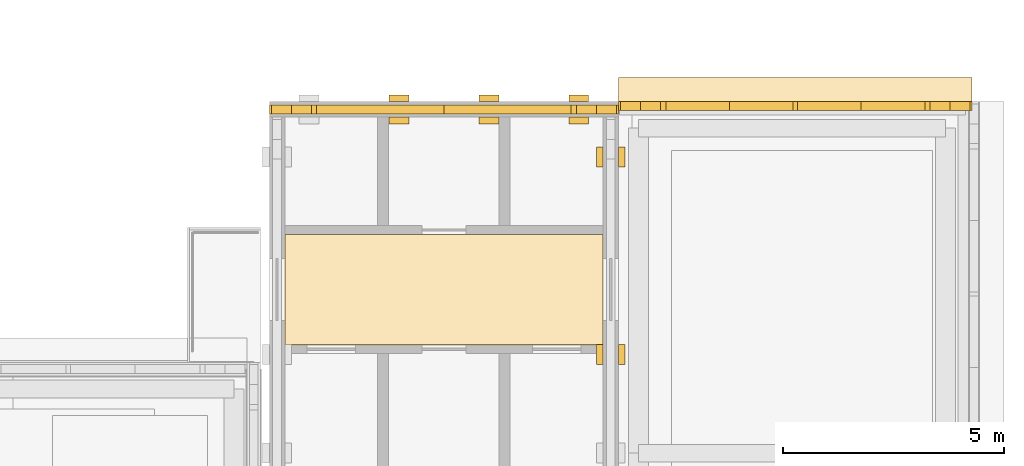
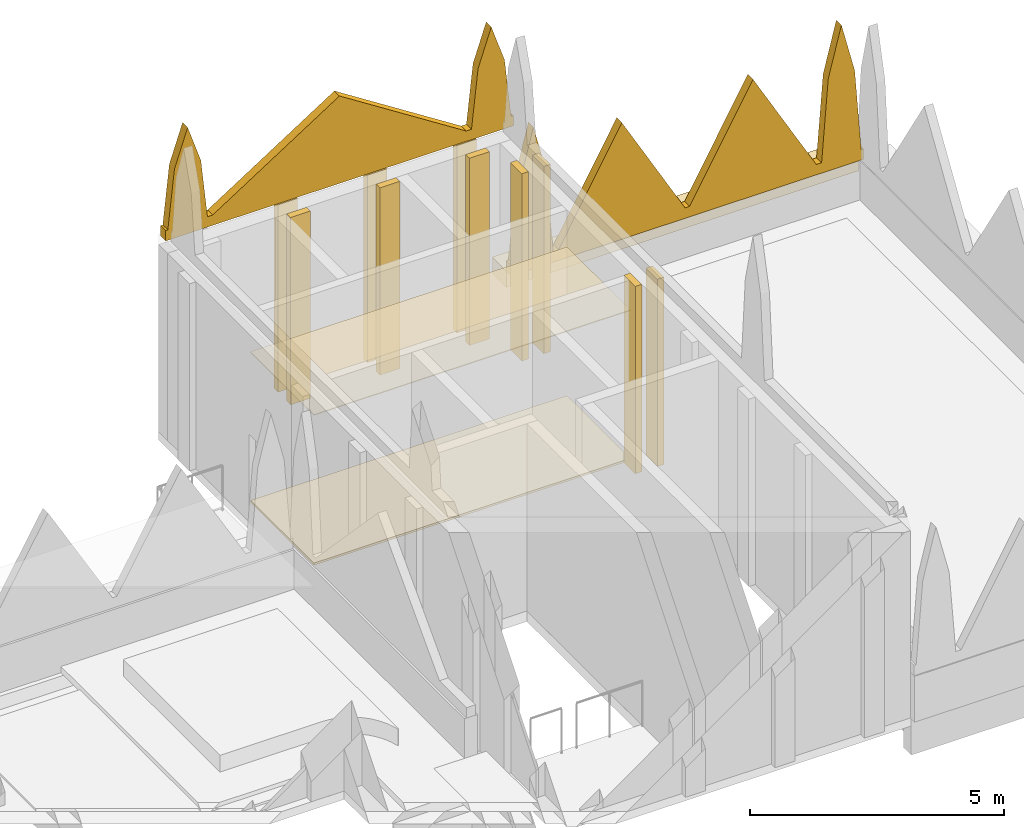
# One storey, part 18 of 18: 15 coverings.
"""IFC4 building model written with IfcOpenShell, lengths in metres."""

from ifc_helpers import new_model, si_unit, direction, frame, frame_2d, origin, place, context, subcontext, project, spatial, polyline, rectangle, outline, extrude, material, layer, layer_set, type_object, element, save


model = new_model("IFC4")

# Units and contexts
model_context = context("Model", 3, precision=1e-05, world=origin(), true_north=direction((0.0, 1.0)))
body_context = subcontext(model_context, "Body", "Model", "MODEL_VIEW")
ifc_project = project(units=[si_unit("LENGTHUNIT", "METRE"), si_unit("AREAUNIT", "SQUARE_METRE"), si_unit("VOLUMEUNIT", "CUBIC_METRE"), si_unit("PLANEANGLEUNIT", "RADIAN"), si_unit("MASSUNIT", "GRAM", prefix="KILO")], contexts=[model_context])

# Site, building, storey
site_placement = place(None, origin())
site = spatial("IfcSite", under=ifc_project, at=site_placement, CompositionType="ELEMENT")
building_placement = place(site_placement, origin())
building = spatial("IfcBuilding", under=site, at=building_placement, Name="Lantern Court Media Centre", CompositionType="ELEMENT")
storey_placement = place(building_placement, frame((0.0, 0.0, 33.60009765625)))
storey = spatial("IfcBuildingStorey", under=building, at=storey_placement, Name="R00", CompositionType="ELEMENT", Elevation=33.60009765625)

# Coverings
ifc_material_1 = material(Name="Honed limestone cladding on blockwork", Category="masonry")
ifc_layer_1 = layer(ifc_material_1, 0.550048828125)
ifc_layer_set_1 = layer_set([ifc_layer_1], Name="Honed limestone cladding on blockwork")
covering_type_1 = type_object("IfcCoveringType", Name="Limestone cornice 550", PredefinedType="CLADDING", material=ifc_layer_set_1)
covering_1_placement = place(storey_placement, frame((88.0, 64.175048828125, 0.699951171875), z_axis=(0.0, 0.0, 1.0), x_axis=(1.0, 0.0, 0.0)))
element("IfcCovering", 1, at=covering_1_placement, inside=storey, type_object=covering_type_1, Name="Attic cornice", PredefinedType="CLADDING", context=body_context, shape_type="SweptSolid", body=[
    extrude(rectangle(XDim=8.0, YDim=0.550048828125, at=frame_2d((4.0, 0.0))), origin(), (0.0, 0.0, 1.0), 0.39990234375),
])
ifc_layer_2 = layer(ifc_material_1, 0.199951171875)
ifc_layer_set_2 = layer_set([ifc_layer_2], Name="Honed limestone cladding on blockwork")
covering_type_2 = type_object("IfcCoveringType", Name="Limestone cresting 200", PredefinedType="CLADDING", material=ifc_layer_set_2)
covering_2_placement = place(storey_placement, frame((88.0, 63.800048828125, 1.099853515625), z_axis=(0.0, 0.0, 1.0), x_axis=(1.0, 0.0, 0.0)))
element("IfcCovering", 2, at=covering_2_placement, inside=storey, type_object=covering_type_2, Name="Parapet cresting", PredefinedType="CLADDING", context=body_context, shape_type="SweptSolid", body=[
    extrude(outline(polyline([(0.0, 0.0), (8.0, 0.0), (8.0, 0.25), (7.949951171875, 0.25), (7.800048828125, 2.2099609375), (7.5, 3.400146484375), (7.199951171875, 2.2099609375), (7.050048828125, 0.25), (6.929931640625, 0.25), (5.489990234375, 2.800048828125), (4.050048828125, 0.25), (3.949951171875, 0.25), (2.510009765625, 2.800048828125), (1.070068359375, 0.25), (0.949951171875, 0.25), (0.800048828125, 2.2099609375), (0.5, 3.400146484375), (0.199951171875, 2.2099609375), (0.050048828125, 0.25), (0.0, 0.25), (0.0, 0.0)])), frame((0.0, 0.10009765625, 0.0), z_axis=(0.0, -1.0, 0.0), x_axis=(1.0, 0.0, 0.0)), (0.0, 0.0, 1.0), 0.199951171875),
])
covering_3_placement = place(storey_placement, frame((88.0, 63.72509765625, 4.75), z_axis=(0.0, 0.0, 1.0), x_axis=(-1.0, 0.0, 0.0)))
element("IfcCovering", 3, at=covering_3_placement, inside=storey, type_object=covering_type_2, Name="Roof box cresting", PredefinedType="CLADDING", context=body_context, shape_type="SweptSolid", body=[
    extrude(outline(polyline([(0.0, 0.0), (7.89990234375, 0.0), (7.89990234375, 0.25), (7.85009765625, 0.25), (7.699951171875, 1.657470703125), (7.39990234375, 2.5498046875), (7.10009765625, 1.657470703125), (6.949951171875, 0.25), (6.830078125, 0.25), (3.949951171875, 2.099853515625), (1.070068359375, 0.25), (0.949951171875, 0.25), (0.800048828125, 1.657470703125), (0.5, 2.5498046875), (0.199951171875, 1.657470703125), (0.050048828125, 0.25), (0.0, 0.25), (0.0, 0.0)])), frame((0.0, 0.10009765625, 0.0), z_axis=(0.0, -1.0, 0.0), x_axis=(1.0, 0.0, 0.0)), (0.0, 0.0, 1.0), 0.199951171875),
])
ifc_material_2 = material(Name="Honed limestone cladding", Category="masonry")
ifc_layer_3 = layer(ifc_material_2, 0.14990234375)
ifc_layer_set_3 = layer_set([ifc_layer_3], Name="Honed limestone cladding")
covering_type_3 = type_object("IfcCoveringType", Name="Limestone pilaster cladding 150", PredefinedType="CLADDING", material=ifc_layer_set_3)
covering_4_placement = place(storey_placement, frame((87.574951171875, 57.958251953125, 0.0), z_axis=(0.0, 0.0, 1.0), x_axis=(0.0, 1.0, 0.0)))
element("IfcCovering", 4, at=covering_4_placement, inside=storey, type_object=covering_type_3, Name="Limestone pilaster rib", PredefinedType="CLADDING", context=body_context, shape_type="SweptSolid", body=[
    extrude(rectangle(XDim=0.4501953125, YDim=0.14990234375, at=frame_2d((0.22509765625, 0.0))), origin(), (0.0, 0.0, 1.0), 4.5),
])
covering_5_placement = place(storey_placement, frame((87.574951171875, 62.425048828125, 0.0), z_axis=(0.0, 0.0, 1.0), x_axis=(0.0, 1.0, 0.0)))
element("IfcCovering", 5, at=covering_5_placement, inside=storey, type_object=covering_type_3, Name="Limestone pilaster rib", PredefinedType="CLADDING", context=body_context, shape_type="SweptSolid", body=[
    extrude(rectangle(XDim=0.449951171875, YDim=0.14990234375, at=frame_2d((0.22509765625, 0.0))), origin(), (0.0, 0.0, 1.0), 4.5),
])
covering_6_placement = place(storey_placement, frame((88.074951171875, 57.958251953125, 0.0), z_axis=(0.0, 0.0, 1.0), x_axis=(0.0, 1.0, 0.0)))
element("IfcCovering", 6, at=covering_6_placement, inside=storey, type_object=covering_type_3, Name="Limestone pilaster rib", PredefinedType="CLADDING", context=body_context, shape_type="SweptSolid", body=[
    extrude(rectangle(XDim=0.4501953125, YDim=0.14990234375, at=frame_2d((0.22509765625, 0.0))), origin(), (0.0, 0.0, 1.0), 4.5),
])
for number, where, z_axis, x_axis, name in (
    (7, (88.074951171875, 62.425048828125, 0.0), (0.0, 0.0, 1.0), (0.0, 1.0, 0.0), "Limestone pilaster rib"),
    (8, (87.324951171875, 63.47509765625, 0.0), (0.0, 0.0, 1.0), (-1.0, 0.0, 0.0), "Limestone pilaster rib"),
):
    element("IfcCovering", number, at=place(storey_placement, frame(where, z_axis=z_axis, x_axis=x_axis)), inside=storey, type_object=covering_type_3, Name=name, PredefinedType="CLADDING", context=body_context, shape_type="SweptSolid", body=[
        extrude(rectangle(XDim=0.449951171875, YDim=0.14990234375, at=frame_2d((0.22509765625, 0.0))), origin(), (0.0, 0.0, 1.0), 4.5),
    ])
covering_7_placement = place(storey_placement, frame((85.291748046875, 63.47509765625, 0.0), z_axis=(0.0, 0.0, 1.0), x_axis=(-1.0, 0.0, 0.0)))
element("IfcCovering", 9, at=covering_7_placement, inside=storey, type_object=covering_type_3, Name="Limestone pilaster rib", PredefinedType="CLADDING", context=body_context, shape_type="SweptSolid", body=[
    extrude(rectangle(XDim=0.4501953125, YDim=0.14990234375, at=frame_2d((0.22509765625, 0.0))), origin(), (0.0, 0.0, 1.0), 4.5),
])
for number, where, z_axis, x_axis, name in (
    (10, (83.25830078125, 63.47509765625, 0.0), (0.0, 0.0, 1.0), (-1.0, 0.0, 0.0), "Limestone pilaster rib"),
    (11, (87.324951171875, 63.97509765625, 0.0), (0.0, 0.0, 1.0), (-1.0, 0.0, 0.0), "Limestone pilaster rib"),
):
    element("IfcCovering", number, at=place(storey_placement, frame(where, z_axis=z_axis, x_axis=x_axis)), inside=storey, type_object=covering_type_3, Name=name, PredefinedType="CLADDING", context=body_context, shape_type="SweptSolid", body=[
        extrude(rectangle(XDim=0.449951171875, YDim=0.14990234375, at=frame_2d((0.22509765625, 0.0))), origin(), (0.0, 0.0, 1.0), 4.5),
    ])
covering_8_placement = place(storey_placement, frame((85.291748046875, 63.97509765625, 0.0), z_axis=(0.0, 0.0, 1.0), x_axis=(-1.0, 0.0, 0.0)))
element("IfcCovering", 12, at=covering_8_placement, inside=storey, type_object=covering_type_3, Name="Limestone pilaster rib", PredefinedType="CLADDING", context=body_context, shape_type="SweptSolid", body=[
    extrude(rectangle(XDim=0.4501953125, YDim=0.14990234375, at=frame_2d((0.22509765625, 0.0))), origin(), (0.0, 0.0, 1.0), 4.5),
])
covering_9_placement = place(storey_placement, frame((83.25830078125, 63.97509765625, 0.0), z_axis=(0.0, 0.0, 1.0), x_axis=(-1.0, 0.0, 0.0)))
element("IfcCovering", 13, at=covering_9_placement, inside=storey, type_object=covering_type_3, Name="Limestone pilaster rib", PredefinedType="CLADDING", context=body_context, shape_type="SweptSolid", body=[
    extrude(rectangle(XDim=0.449951171875, YDim=0.14990234375, at=frame_2d((0.22509765625, 0.0))), origin(), (0.0, 0.0, 1.0), 4.5),
])
ifc_material_3 = material(Name="Mineral fibre ceiling tile")
ifc_layer_4 = layer(ifc_material_3, 0.02001953125)
ifc_layer_set_4 = layer_set([ifc_layer_4], Name="Mineral fibre ceiling tile")
covering_type_4 = type_object("IfcCoveringType", Name="Suspended ceiling tile", PredefinedType="CEILING", material=ifc_layer_set_4)
covering_10_placement = place(storey_placement, frame((0.0, 0.0, 3.599853515625)))
element("IfcCovering", 14, at=covering_10_placement, inside=storey, type_object=covering_type_4, Name="Lift Lobby ceiling", PredefinedType="CEILING", context=body_context, shape_type="SweptSolid", body=[
    extrude(outline(polyline([(87.6494140625, 58.400390625), (80.450439453125, 58.400390625), (80.450439453125, 60.8994140625), (87.6494140625, 60.8994140625), (87.6494140625, 58.400390625)])), origin(), (0.0, 0.0, 1.0), 0.02001953125),
])
ifc_material_4 = material(Name="Terrazzo")
ifc_layer_5 = layer(ifc_material_4, 0.050048828125)
ifc_layer_set_5 = layer_set([ifc_layer_5], Name="Terrazzo")
covering_type_5 = type_object("IfcCoveringType", Name="Terrazzo floor finish", PredefinedType="FLOORING", material=ifc_layer_set_5)
covering_11_placement = place(storey_placement, origin())
element("IfcCovering", 15, at=covering_11_placement, inside=storey, type_object=covering_type_5, Name="Lift Lobby floor finish", PredefinedType="FLOORING", context=body_context, shape_type="SweptSolid", body=[
    extrude(outline(polyline([(87.64501953125, 60.89501953125), (87.64501953125, 58.405029296875), (80.455078125, 58.405029296875), (80.455078125, 60.89501953125), (87.64501953125, 60.89501953125)])), origin(), (0.0, 0.0, 1.0), 0.0498046875),
])

save(model, "model.ifc")
